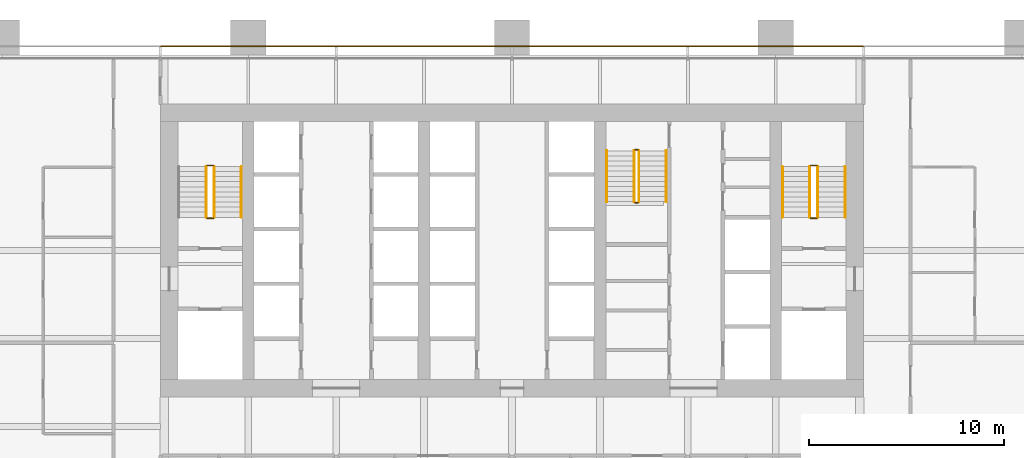
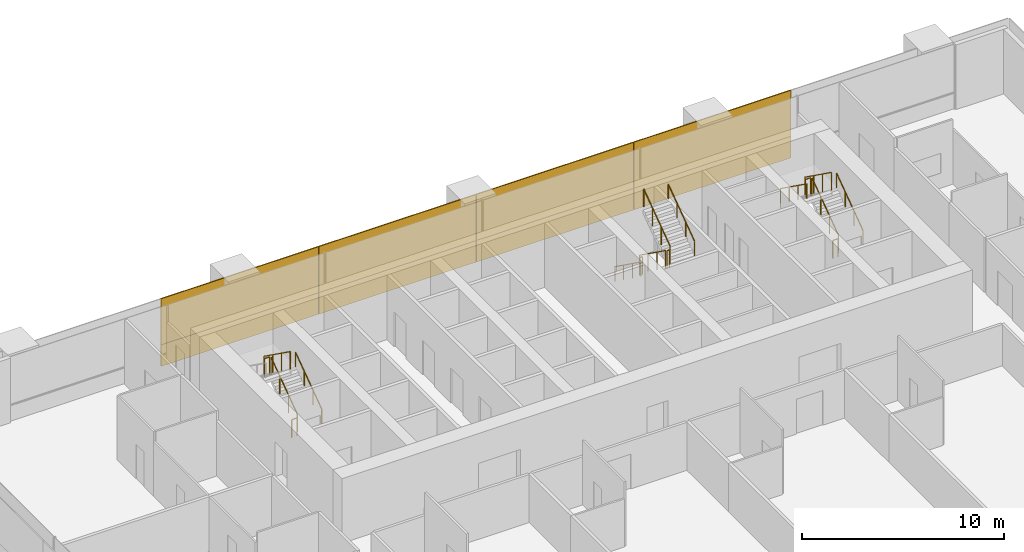
# One storey, part 18 of 19: 17 railings, 8 coverings.
"""IFC4 building model written with IfcOpenShell, lengths in metres."""

from ifc_helpers import new_model, si_unit, direction, frame, origin, origin_2d, place, context, subcontext, project, spatial, rectangle, extrude, material, layer, layer_set, type_object, element, save


model = new_model("IFC4")

# Units and contexts
model_context = context("Model", 3, precision=1e-05, world=origin(), true_north=direction((0.0, 1.0)))
body_context = subcontext(model_context, "Body", "Model", "MODEL_VIEW")
ifc_project = project(units=[si_unit("LENGTHUNIT", "METRE"), si_unit("AREAUNIT", "SQUARE_METRE"), si_unit("VOLUMEUNIT", "CUBIC_METRE"), si_unit("PLANEANGLEUNIT", "RADIAN"), si_unit("MASSUNIT", "GRAM", prefix="KILO")], contexts=[model_context])

# Site, building, storey
site_placement = place(None, origin())
site = spatial("IfcSite", under=ifc_project, at=site_placement, CompositionType="ELEMENT")
building_placement = place(site_placement, origin())
building = spatial("IfcBuilding", under=site, at=building_placement, Name="Rattan Terrace Tower", CompositionType="ELEMENT")
storey_placement = place(building_placement, frame((0.0, 0.0, 65.199951171875)))
storey = spatial("IfcBuildingStorey", under=building, at=storey_placement, Name="L14", CompositionType="ELEMENT", Elevation=65.199951171875)

# Railings
ifc_material_1 = material(Name="Powder-coated steel guard", Category="steel")
railing_type_1 = type_object("IfcRailingType", Name="Core stair guard", PredefinedType="GUARDRAIL", material=ifc_material_1)
railing_1_placement = place(storey_placement, frame((-15.25, 1.699951171875, 0.1865234375)))
element("IfcRailing", 1, at=railing_1_placement, inside=storey, type_object=railing_type_1, Name="L14 S1 stair guard 1", PredefinedType="GUARDRAIL", context=body_context, shape_type="SweptSolid", body=[
    extrude(rectangle(XDim=0.048095703125, YDim=0.048095703125, at=origin_2d()), frame((0.0, 0.0, 1.076171875), z_axis=(0.0, 0.812799059333, 0.582544152102), x_axis=(-1.0, 0.0, 0.0)), (0.0, 0.0, 1.0), 3.198974609375),
    extrude(rectangle(XDim=0.0419921875, YDim=0.0419921875, at=origin_2d()), origin(), (0.0, 0.0, 1.0), 1.052001953125),
    extrude(rectangle(XDim=0.0419921875, YDim=0.0419921875, at=origin_2d()), frame((0.0, 0.86669921875, 0.62109375)), (0.0, 0.0, 1.0), 1.052001953125),
    extrude(rectangle(XDim=0.0419921875, YDim=0.0419921875, at=origin_2d()), frame((0.0, 1.7333984375, 1.242431640625)), (0.0, 0.0, 1.0), 1.052001953125),
    extrude(rectangle(XDim=0.0419921875, YDim=0.0419921875, at=origin_2d()), frame((0.0, 2.60009765625, 1.863525390625)), (0.0, 0.0, 1.0), 1.052001953125),
])
railing_2_placement = place(storey_placement, frame((-15.300048828125, 4.35009765625, 2.050048828125)))
element("IfcRailing", 2, at=railing_2_placement, inside=storey, type_object=railing_type_1, Name="L14 S1 stair guard 2", PredefinedType="GUARDRAIL", context=body_context, shape_type="SweptSolid", body=[
    extrude(rectangle(XDim=0.048095703125, YDim=0.048095703125, at=origin_2d()), frame((0.0, 0.0, 1.076171875), z_axis=(-1.0, 0.0, 0.0), x_axis=(0.0, -1.0, 0.0)), (0.0, 0.0, 1.0), 0.300048828125),
    extrude(rectangle(XDim=0.0419921875, YDim=0.0419921875, at=origin_2d()), origin(), (0.0, 0.0, 1.0), 1.052001953125),
    extrude(rectangle(XDim=0.0419921875, YDim=0.0419921875, at=origin_2d()), frame((-0.300048828125, 0.0, 0.0)), (0.0, 0.0, 1.0), 1.052001953125),
])
railing_3_placement = place(storey_placement, frame((-15.64990234375, 4.300048828125, 2.236328125)))
element("IfcRailing", 3, at=railing_3_placement, inside=storey, type_object=railing_type_1, Name="L14 S1 stair guard 3", PredefinedType="GUARDRAIL", context=body_context, shape_type="SweptSolid", body=[
    extrude(rectangle(XDim=0.048095703125, YDim=0.048095703125, at=origin_2d()), frame((0.0, 0.0, 1.076171875), z_axis=(0.0, -0.812762922914, 0.582594568406), x_axis=(1.0, 0.0, 0.0)), (0.0, 0.0, 1.0), 3.198974609375),
    extrude(rectangle(XDim=0.0419921875, YDim=0.0419921875, at=origin_2d()), origin(), (0.0, 0.0, 1.0), 1.052001953125),
    extrude(rectangle(XDim=0.0419921875, YDim=0.0419921875, at=origin_2d()), frame((0.0, -0.86669921875, 0.621337890625)), (0.0, 0.0, 1.0), 1.052001953125),
    extrude(rectangle(XDim=0.0419921875, YDim=0.0419921875, at=origin_2d()), frame((0.0, -1.7333984375, 1.242431640625)), (0.0, 0.0, 1.0), 1.052001953125),
    extrude(rectangle(XDim=0.0419921875, YDim=0.0419921875, at=origin_2d()), frame((0.0, -2.60009765625, 1.86376953125)), (0.0, 0.0, 1.0), 1.052001953125),
])
railing_4_placement = place(storey_placement, frame((-15.300048828125, 1.64990234375, 0.0)))
element("IfcRailing", 4, at=railing_4_placement, inside=storey, type_object=railing_type_1, Name="L14 S1 stair guard 4", PredefinedType="GUARDRAIL", context=body_context, shape_type="SweptSolid", body=[
    extrude(rectangle(XDim=0.048095703125, YDim=0.048095703125, at=origin_2d()), frame((0.0, 0.0, 1.076171875), z_axis=(-1.0, 0.0, 0.0), x_axis=(0.0, -1.0, 0.0)), (0.0, 0.0, 1.0), 0.300048828125),
    extrude(rectangle(XDim=0.0419921875, YDim=0.0419921875, at=origin_2d()), origin(), (0.0, 0.0, 1.0), 1.052001953125),
    extrude(rectangle(XDim=0.0419921875, YDim=0.0419921875, at=origin_2d()), frame((-0.300048828125, 0.0, 0.0)), (0.0, 0.0, 1.0), 1.052001953125),
])
railing_5_placement = place(storey_placement, frame((15.64990234375, 1.699951171875, 0.1865234375)))
element("IfcRailing", 5, at=railing_5_placement, inside=storey, type_object=railing_type_1, Name="L14 S2 stair guard 1", PredefinedType="GUARDRAIL", context=body_context, shape_type="SweptSolid", body=[
    extrude(rectangle(XDim=0.048095703125, YDim=0.048095703125, at=origin_2d()), frame((0.0, 0.0, 1.076171875), z_axis=(0.0, 0.812799059333, 0.582544152102), x_axis=(-1.0, 0.0, 0.0)), (0.0, 0.0, 1.0), 3.198974609375),
    extrude(rectangle(XDim=0.0419921875, YDim=0.0419921875, at=origin_2d()), origin(), (0.0, 0.0, 1.0), 1.052001953125),
    extrude(rectangle(XDim=0.0419921875, YDim=0.0419921875, at=origin_2d()), frame((0.0, 0.86669921875, 0.62109375)), (0.0, 0.0, 1.0), 1.052001953125),
    extrude(rectangle(XDim=0.0419921875, YDim=0.0419921875, at=origin_2d()), frame((0.0, 1.7333984375, 1.242431640625)), (0.0, 0.0, 1.0), 1.052001953125),
    extrude(rectangle(XDim=0.0419921875, YDim=0.0419921875, at=origin_2d()), frame((0.0, 2.60009765625, 1.863525390625)), (0.0, 0.0, 1.0), 1.052001953125),
])
railing_6_placement = place(storey_placement, frame((15.60009765625, 4.35009765625, 2.050048828125)))
element("IfcRailing", 6, at=railing_6_placement, inside=storey, type_object=railing_type_1, Name="L14 S2 stair guard 2", PredefinedType="GUARDRAIL", context=body_context, shape_type="SweptSolid", body=[
    extrude(rectangle(XDim=0.048095703125, YDim=0.048095703125, at=origin_2d()), frame((0.0, 0.0, 1.076171875), z_axis=(-1.0, 0.0, 0.0), x_axis=(0.0, -1.0, 0.0)), (0.0, 0.0, 1.0), 0.300048828125),
    extrude(rectangle(XDim=0.0419921875, YDim=0.0419921875, at=origin_2d()), origin(), (0.0, 0.0, 1.0), 1.052001953125),
    extrude(rectangle(XDim=0.0419921875, YDim=0.0419921875, at=origin_2d()), frame((-0.300048828125, 0.0, 0.0)), (0.0, 0.0, 1.0), 1.052001953125),
])
railing_7_placement = place(storey_placement, frame((15.25, 4.300048828125, 2.236328125)))
element("IfcRailing", 7, at=railing_7_placement, inside=storey, type_object=railing_type_1, Name="L14 S2 stair guard 3", PredefinedType="GUARDRAIL", context=body_context, shape_type="SweptSolid", body=[
    extrude(rectangle(XDim=0.048095703125, YDim=0.048095703125, at=origin_2d()), frame((0.0, 0.0, 1.076171875), z_axis=(0.0, -0.812762922914, 0.582594568406), x_axis=(1.0, 0.0, 0.0)), (0.0, 0.0, 1.0), 3.198974609375),
    extrude(rectangle(XDim=0.0419921875, YDim=0.0419921875, at=origin_2d()), origin(), (0.0, 0.0, 1.0), 1.052001953125),
    extrude(rectangle(XDim=0.0419921875, YDim=0.0419921875, at=origin_2d()), frame((0.0, -0.86669921875, 0.621337890625)), (0.0, 0.0, 1.0), 1.052001953125),
    extrude(rectangle(XDim=0.0419921875, YDim=0.0419921875, at=origin_2d()), frame((0.0, -1.7333984375, 1.242431640625)), (0.0, 0.0, 1.0), 1.052001953125),
    extrude(rectangle(XDim=0.0419921875, YDim=0.0419921875, at=origin_2d()), frame((0.0, -2.60009765625, 1.86376953125)), (0.0, 0.0, 1.0), 1.052001953125),
])
railing_8_placement = place(storey_placement, frame((15.60009765625, 1.64990234375, 0.0)))
element("IfcRailing", 8, at=railing_8_placement, inside=storey, type_object=railing_type_1, Name="L14 S2 stair guard 4", PredefinedType="GUARDRAIL", context=body_context, shape_type="SweptSolid", body=[
    extrude(rectangle(XDim=0.048095703125, YDim=0.048095703125, at=origin_2d()), frame((0.0, 0.0, 1.076171875), z_axis=(-1.0, 0.0, 0.0), x_axis=(0.0, -1.0, 0.0)), (0.0, 0.0, 1.0), 0.300048828125),
    extrude(rectangle(XDim=0.0419921875, YDim=0.0419921875, at=origin_2d()), origin(), (0.0, 0.0, 1.0), 1.052001953125),
    extrude(rectangle(XDim=0.0419921875, YDim=0.0419921875, at=origin_2d()), frame((-0.300048828125, 0.0, 0.0)), (0.0, 0.0, 1.0), 1.052001953125),
])
railing_9_placement = place(storey_placement, frame((6.25, 5.10009765625, 0.1865234375)))
element("IfcRailing", 9, at=railing_9_placement, inside=storey, type_object=railing_type_1, Name="L14 S3 stair guard 1", PredefinedType="GUARDRAIL", context=body_context, shape_type="SweptSolid", body=[
    extrude(rectangle(XDim=0.048095703125, YDim=0.048095703125, at=origin_2d()), frame((0.0, 0.0, 1.076171875), z_axis=(0.0, -0.812799059333, 0.582544152102), x_axis=(1.0, 0.0, 0.0)), (0.0, 0.0, 1.0), 3.198974609375),
    extrude(rectangle(XDim=0.0419921875, YDim=0.0419921875, at=origin_2d()), origin(), (0.0, 0.0, 1.0), 1.052001953125),
    extrude(rectangle(XDim=0.0419921875, YDim=0.0419921875, at=origin_2d()), frame((0.0, -0.86669921875, 0.62109375)), (0.0, 0.0, 1.0), 1.052001953125),
    extrude(rectangle(XDim=0.0419921875, YDim=0.0419921875, at=origin_2d()), frame((0.0, -1.7333984375, 1.242431640625)), (0.0, 0.0, 1.0), 1.052001953125),
    extrude(rectangle(XDim=0.0419921875, YDim=0.0419921875, at=origin_2d()), frame((0.0, -2.60009765625, 1.863525390625)), (0.0, 0.0, 1.0), 1.052001953125),
])
railing_10_placement = place(storey_placement, frame((6.300048828125, 2.449951171875, 2.050048828125)))
element("IfcRailing", 10, at=railing_10_placement, inside=storey, type_object=railing_type_1, Name="L14 S3 stair guard 2", PredefinedType="GUARDRAIL", context=body_context, shape_type="SweptSolid", body=[
    extrude(rectangle(XDim=0.048095703125, YDim=0.048095703125, at=origin_2d()), frame((0.0, 0.0, 1.076171875), z_axis=(1.0, 0.0, 0.0), x_axis=(0.0, 1.0, 0.0)), (0.0, 0.0, 1.0), 0.14990234375),
    extrude(rectangle(XDim=0.0419921875, YDim=0.0419921875, at=origin_2d()), origin(), (0.0, 0.0, 1.0), 1.052001953125),
    extrude(rectangle(XDim=0.0419921875, YDim=0.0419921875, at=origin_2d()), frame((0.14990234375, 0.0, 0.0)), (0.0, 0.0, 1.0), 1.052001953125),
])
railing_11_placement = place(storey_placement, frame((6.5, 2.5, 2.236328125)))
element("IfcRailing", 11, at=railing_11_placement, inside=storey, type_object=railing_type_1, Name="L14 S3 stair guard 3", PredefinedType="GUARDRAIL", context=body_context, shape_type="SweptSolid", body=[
    extrude(rectangle(XDim=0.048095703125, YDim=0.048095703125, at=origin_2d()), frame((0.0, 0.0, 1.076171875), z_axis=(0.0, 0.812762922914, 0.582594568406), x_axis=(-1.0, 0.0, 0.0)), (0.0, 0.0, 1.0), 3.198974609375),
    extrude(rectangle(XDim=0.0419921875, YDim=0.0419921875, at=origin_2d()), origin(), (0.0, 0.0, 1.0), 1.052001953125),
    extrude(rectangle(XDim=0.0419921875, YDim=0.0419921875, at=origin_2d()), frame((0.0, 0.86669921875, 0.621337890625)), (0.0, 0.0, 1.0), 1.052001953125),
    extrude(rectangle(XDim=0.0419921875, YDim=0.0419921875, at=origin_2d()), frame((0.0, 1.7333984375, 1.242431640625)), (0.0, 0.0, 1.0), 1.052001953125),
    extrude(rectangle(XDim=0.0419921875, YDim=0.0419921875, at=origin_2d()), frame((0.0, 2.60009765625, 1.86376953125)), (0.0, 0.0, 1.0), 1.052001953125),
])
railing_12_placement = place(storey_placement, frame((6.300048828125, 5.14990234375, 0.0)))
element("IfcRailing", 12, at=railing_12_placement, inside=storey, type_object=railing_type_1, Name="L14 S3 stair guard 4", PredefinedType="GUARDRAIL", context=body_context, shape_type="SweptSolid", body=[
    extrude(rectangle(XDim=0.048095703125, YDim=0.048095703125, at=origin_2d()), frame((0.0, 0.0, 1.076171875), z_axis=(1.0, 0.0, 0.0), x_axis=(0.0, 1.0, 0.0)), (0.0, 0.0, 1.0), 0.14990234375),
    extrude(rectangle(XDim=0.0419921875, YDim=0.0419921875, at=origin_2d()), origin(), (0.0, 0.0, 1.0), 1.052001953125),
    extrude(rectangle(XDim=0.0419921875, YDim=0.0419921875, at=origin_2d()), frame((0.14990234375, 0.0, 0.0)), (0.0, 0.0, 1.0), 1.052001953125),
])
ifc_material_2 = material(Name="Powder-coated steel handrail", Category="steel")
railing_type_2 = type_object("IfcRailingType", Name="Core stair handrail", PredefinedType="HANDRAIL", material=ifc_material_2)
for number, where, name in (
    (13, (-13.85009765625, 1.699951171875, 0.1865234375), "L14 S1 stair handrail 1"),
    (14, (17.050048828125, 1.699951171875, 0.1865234375), "L14 S2 stair handrail 1"),
):
    element("IfcRailing", number, at=place(storey_placement, frame(where)), inside=storey, type_object=railing_type_2, Name=name, PredefinedType="HANDRAIL", context=body_context, shape_type="SweptSolid", body=[
        extrude(rectangle(XDim=0.048095703125, YDim=0.048095703125, at=origin_2d()), frame((0.0, 0.0, 0.8759765625), z_axis=(0.0, 0.812799059333, 0.582544152102), x_axis=(-1.0, 0.0, 0.0)), (0.0, 0.0, 1.0), 3.198974609375),
        extrude(rectangle(XDim=0.0419921875, YDim=0.0419921875, at=origin_2d()), origin(), (0.0, 0.0, 1.0), 0.851806640625),
        extrude(rectangle(XDim=0.0419921875, YDim=0.0419921875, at=origin_2d()), frame((0.0, 0.86669921875, 0.62109375)), (0.0, 0.0, 1.0), 0.851806640625),
        extrude(rectangle(XDim=0.0419921875, YDim=0.0419921875, at=origin_2d()), frame((0.0, 1.7333984375, 1.242431640625)), (0.0, 0.0, 1.0), 0.851806640625),
        extrude(rectangle(XDim=0.0419921875, YDim=0.0419921875, at=origin_2d()), frame((0.0, 2.60009765625, 1.863525390625)), (0.0, 0.0, 1.0), 0.851806640625),
    ])
railing_13_placement = place(storey_placement, frame((13.85009765625, 4.300048828125, 2.236328125)))
element("IfcRailing", 15, at=railing_13_placement, inside=storey, type_object=railing_type_2, Name="L14 S2 stair handrail 2", PredefinedType="HANDRAIL", context=body_context, shape_type="SweptSolid", body=[
    extrude(rectangle(XDim=0.048095703125, YDim=0.048095703125, at=origin_2d()), frame((0.0, 0.0, 0.8759765625), z_axis=(0.0, -0.812762922914, 0.582594568406), x_axis=(1.0, 0.0, 0.0)), (0.0, 0.0, 1.0), 3.198974609375),
    extrude(rectangle(XDim=0.0419921875, YDim=0.0419921875, at=origin_2d()), origin(), (0.0, 0.0, 1.0), 0.851806640625),
    extrude(rectangle(XDim=0.0419921875, YDim=0.0419921875, at=origin_2d()), frame((0.0, -0.86669921875, 0.621337890625)), (0.0, 0.0, 1.0), 0.851806640625),
    extrude(rectangle(XDim=0.0419921875, YDim=0.0419921875, at=origin_2d()), frame((0.0, -1.7333984375, 1.242431640625)), (0.0, 0.0, 1.0), 0.851806640625),
    extrude(rectangle(XDim=0.0419921875, YDim=0.0419921875, at=origin_2d()), frame((0.0, -2.60009765625, 1.86376953125)), (0.0, 0.0, 1.0), 0.851806640625),
])
railing_14_placement = place(storey_placement, frame((4.85009765625, 5.10009765625, 0.1865234375)))
element("IfcRailing", 16, at=railing_14_placement, inside=storey, type_object=railing_type_2, Name="L14 S3 stair handrail 1", PredefinedType="HANDRAIL", context=body_context, shape_type="SweptSolid", body=[
    extrude(rectangle(XDim=0.048095703125, YDim=0.048095703125, at=origin_2d()), frame((0.0, 0.0, 0.8759765625), z_axis=(0.0, -0.812799059333, 0.582544152102), x_axis=(1.0, 0.0, 0.0)), (0.0, 0.0, 1.0), 3.198974609375),
    extrude(rectangle(XDim=0.0419921875, YDim=0.0419921875, at=origin_2d()), origin(), (0.0, 0.0, 1.0), 0.851806640625),
    extrude(rectangle(XDim=0.0419921875, YDim=0.0419921875, at=origin_2d()), frame((0.0, -0.86669921875, 0.62109375)), (0.0, 0.0, 1.0), 0.851806640625),
    extrude(rectangle(XDim=0.0419921875, YDim=0.0419921875, at=origin_2d()), frame((0.0, -1.7333984375, 1.242431640625)), (0.0, 0.0, 1.0), 0.851806640625),
    extrude(rectangle(XDim=0.0419921875, YDim=0.0419921875, at=origin_2d()), frame((0.0, -2.60009765625, 1.863525390625)), (0.0, 0.0, 1.0), 0.851806640625),
])
railing_15_placement = place(storey_placement, frame((7.89990234375, 2.5, 2.236328125)))
element("IfcRailing", 17, at=railing_15_placement, inside=storey, type_object=railing_type_2, Name="L14 S3 stair handrail 2", PredefinedType="HANDRAIL", context=body_context, shape_type="SweptSolid", body=[
    extrude(rectangle(XDim=0.048095703125, YDim=0.048095703125, at=origin_2d()), frame((0.0, 0.0, 0.8759765625), z_axis=(0.0, 0.812762922914, 0.582594568406), x_axis=(-1.0, 0.0, 0.0)), (0.0, 0.0, 1.0), 3.198974609375),
    extrude(rectangle(XDim=0.0419921875, YDim=0.0419921875, at=origin_2d()), origin(), (0.0, 0.0, 1.0), 0.851806640625),
    extrude(rectangle(XDim=0.0419921875, YDim=0.0419921875, at=origin_2d()), frame((0.0, 0.86669921875, 0.621337890625)), (0.0, 0.0, 1.0), 0.851806640625),
    extrude(rectangle(XDim=0.0419921875, YDim=0.0419921875, at=origin_2d()), frame((0.0, 1.7333984375, 1.242431640625)), (0.0, 0.0, 1.0), 0.851806640625),
    extrude(rectangle(XDim=0.0419921875, YDim=0.0419921875, at=origin_2d()), frame((0.0, 2.60009765625, 1.86376953125)), (0.0, 0.0, 1.0), 0.851806640625),
])

# Coverings
ifc_material_3 = material(Name="Solid terracotta", Category="masonry")
ifc_layer_1 = layer(ifc_material_3, 0.06005859375)
ifc_layer_set_1 = layer_set([ifc_layer_1], Name="Facade Terracotta Band Panel")
covering_type_1 = type_object("IfcCoveringType", Name="Facade Terracotta Band Panel", PredefinedType="CLADDING", material=ifc_layer_set_1)
for number, where, z_axis, x_axis, name in (
    (18, (13.5, 10.449951171875, -0.18994140625), (0.0, 0.0, 1.0), (-1.0, 0.0, 0.0), "OUTER SKIN panel L14-16A"),
    (19, (4.5, 10.449951171875, -0.18994140625), (0.0, 0.0, 1.0), (-1.0, 0.0, 0.0), "OUTER SKIN panel L14-17A"),
    (20, (-4.5, 10.449951171875, -0.18994140625), (0.0, 0.0, 1.0), (-1.0, 0.0, 0.0), "OUTER SKIN panel L14-18A"),
    (21, (-13.5, 10.449951171875, -0.18994140625), (0.0, 0.0, 1.0), (-1.0, 0.0, 0.0), "OUTER SKIN panel L14-19A"),
):
    element("IfcCovering", number, at=place(storey_placement, frame(where, z_axis=z_axis, x_axis=x_axis)), inside=storey, type_object=covering_type_1, Name=name, PredefinedType="CLADDING", context=body_context, shape_type="SweptSolid", body=[
        extrude(rectangle(XDim=8.97998046875, YDim=0.06005859375, at=origin_2d()), origin(), (0.0, 0.0, 1.0), 1.300048828125),
    ])
ifc_material_4 = material(Name="Perforated terracotta", Category="masonry")
ifc_layer_2 = layer(ifc_material_4, 0.06005859375)
ifc_layer_set_2 = layer_set([ifc_layer_2], Name="Facade Terracotta Screen Panel")
covering_type_2 = type_object("IfcCoveringType", Name="Facade Terracotta Screen Panel", PredefinedType="CLADDING", material=ifc_layer_set_2)
for number, where, z_axis, x_axis, name in (
    (22, (13.5, 10.449951171875, 1.10986328125), (0.0, 0.0, 1.0), (-1.0, 0.0, 0.0), "OUTER SKIN panel L14-16B"),
    (23, (4.5, 10.449951171875, 1.10986328125), (0.0, 0.0, 1.0), (-1.0, 0.0, 0.0), "OUTER SKIN panel L14-17B"),
    (24, (-4.5, 10.449951171875, 1.10986328125), (0.0, 0.0, 1.0), (-1.0, 0.0, 0.0), "OUTER SKIN panel L14-18B"),
    (25, (-13.5, 10.449951171875, 1.10986328125), (0.0, 0.0, 1.0), (-1.0, 0.0, 0.0), "OUTER SKIN panel L14-19B"),
):
    element("IfcCovering", number, at=place(storey_placement, frame(where, z_axis=z_axis, x_axis=x_axis)), inside=storey, type_object=covering_type_2, Name=name, PredefinedType="CLADDING", context=body_context, shape_type="SweptSolid", body=[
        extrude(rectangle(XDim=8.97998046875, YDim=0.06005859375, at=origin_2d()), origin(), (0.0, 0.0, 1.0), 2.780029296875),
    ])

save(model, "model.ifc")
